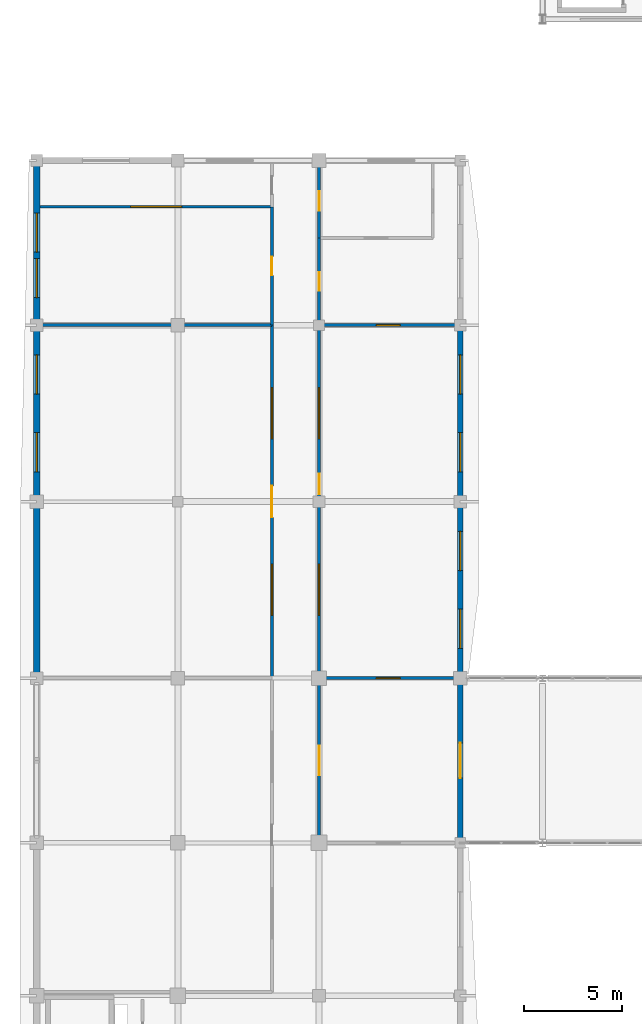
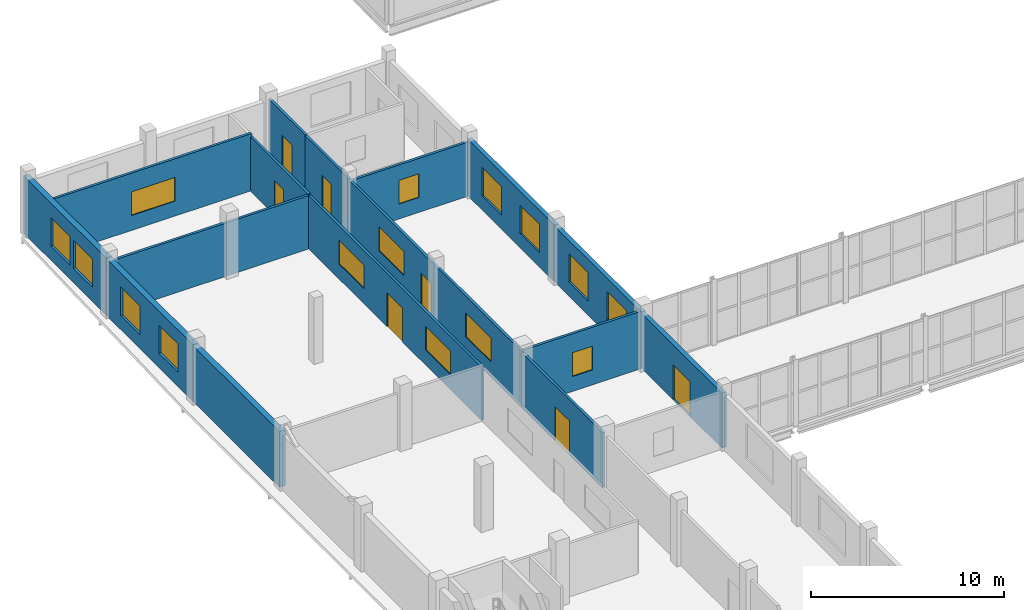
# One storey, part 97 of 121: 16 walls, 15 windows, 7 doors, 22 openings.
"""IFC4 building model written with IfcOpenShell, lengths in metres."""

from ifc_helpers import new_model, si_unit, direction, frame, frame_2d, origin, place, context, subcontext, project, spatial, rectangle, extrude, material, layer, layer_set, type_object, element, fill, save


model = new_model("IFC4")

# Units and contexts
model_context = context("Model", 3, precision=1e-05, world=origin(), true_north=direction((0.0, 1.0)))
body_context = subcontext(model_context, "Body", "Model", "MODEL_VIEW")
ifc_project = project(units=[si_unit("LENGTHUNIT", "METRE"), si_unit("AREAUNIT", "SQUARE_METRE"), si_unit("VOLUMEUNIT", "CUBIC_METRE"), si_unit("PLANEANGLEUNIT", "RADIAN"), si_unit("MASSUNIT", "GRAM", prefix="KILO")], contexts=[model_context])

# Site, building, storey
site_placement = place(None, origin())
site = spatial("IfcSite", under=ifc_project, at=site_placement, CompositionType="ELEMENT")
building_placement = place(site_placement, origin())
building = spatial("IfcBuilding", under=site, at=building_placement, Name="Vinh Khe Railworks Police Headquarters", CompositionType="ELEMENT")
storey_placement = place(building_placement, frame((0.0, 0.0, 4.800048828125)))
storey = spatial("IfcBuildingStorey", under=building, at=storey_placement, Name="L01", CompositionType="ELEMENT", Elevation=4.800048828125)

# Wall, opening, door
ifc_material_1 = material(Name="Clay brickwork", Category="masonry")
ifc_layer_1 = layer(ifc_material_1, 0.260009765625)
ifc_layer_set_1 = layer_set([ifc_layer_1], Name="Clay brickwork")
wall_type_1 = type_object("IfcWallType", Name="EW-BRK-260", PredefinedType="SOLIDWALL", material=ifc_layer_set_1)
wall_1_placement = place(storey_placement, frame((22.199951171875, 96.0, 0.0), z_axis=(0.0, 0.0, 1.0), x_axis=(0.0, 1.0, 0.0)))
wall_1 = element("IfcWall", 1, at=wall_1_placement, inside=storey, type_object=wall_type_1, Name="Exterior Brick Wall EW-L01-V5E-13", PredefinedType="SOLIDWALL", context=body_context, shape_type="SweptSolid", body=[
    extrude(rectangle(XDim=8.39990234375, YDim=0.260009765625, at=frame_2d((4.199951171875, 0.0))), origin(), (0.0, 0.0, 1.0), 3.48486328125),
])
opening_1_placement = place(wall_1_placement, frame((3.300048828125, 0.0, 0.0)))
opening_1 = element("IfcOpeningElement", 2, at=opening_1_placement, cuts=wall_1, Name="Opening ED-03", PredefinedType="OPENING", context=body_context, shape_type="SweptSolid", body=[
    extrude(rectangle(XDim=1.800048828125, YDim=2.199951171875, at=frame_2d((0.89990234375, 1.10009765625))), frame((0.0, 0.14501953125, 0.0), z_axis=(0.0, -1.0, 0.0), x_axis=(1.0, 0.0, 0.0)), (0.0, 0.0, 1.0), 0.289794921875),
])
ifc_material_2 = material(Name="Dark anodised aluminium and solar-control glass", Category="aluminium")
door_type_1 = type_object("IfcDoorType", Name="ED-TER-1800", OperationType="DOUBLE_DOOR_SINGLE_SWING", PredefinedType="DOOR", material=ifc_material_2)
door_1_placement = place(opening_1_placement, frame((1.800048828125, 0.0, 0.0), z_axis=(0.0, 0.0, 1.0), x_axis=(-1.0, 0.0, 0.0)))
door_1 = element("IfcDoor", 3, at=door_1_placement, inside=storey, type_object=door_type_1, Name="Court Link Bridge West Portal Door L01", OperationType="DOUBLE_DOOR_SINGLE_SWING", OverallHeight=2.199951171875, OverallWidth=1.800048828125, PredefinedType="DOOR", context=body_context, shape_type="SweptSolid", body=[
    extrude(rectangle(XDim=1.800048828125, YDim=2.199951171875, at=frame_2d((0.89990234375, 1.10009765625))), frame((0.0, 0.02490234375, 0.0), z_axis=(0.0, -1.0, 0.0), x_axis=(1.0, 0.0, 0.0)), (0.0, 0.0, 1.0), 0.050048828125),
])
fill(opening_1, door_1)

# Wall, openings, windows
wall_2_placement = place(storey_placement, frame((22.199951171875, 104.39990234375, 0.0), z_axis=(0.0, 0.0, 1.0), x_axis=(0.0, 1.0, 0.0)))
wall_2 = element("IfcWall", 4, at=wall_2_placement, inside=storey, type_object=wall_type_1, Name="Exterior Brick Wall EW-L01-V5E-14", PredefinedType="SOLIDWALL", context=body_context, shape_type="SweptSolid", body=[
    extrude(rectangle(XDim=9.0, YDim=0.260009765625, at=frame_2d((4.5, 0.0))), origin(), (0.0, 0.0, 1.0), 3.534912109375),
])
opening_2_placement = place(wall_2_placement, frame((1.52001953125, 0.0, 0.89990234375)))
opening_2 = element("IfcOpeningElement", 5, at=opening_2_placement, cuts=wall_2, Name="Opening WN-04", PredefinedType="OPENING", context=body_context, shape_type="SweptSolid", body=[
    extrude(rectangle(XDim=2.0, YDim=1.800048828125, at=frame_2d((1.0, 0.89990234375))), frame((0.0, 0.14501953125, 0.0), z_axis=(0.0, -1.0, 0.0), x_axis=(1.0, 0.0, 0.0)), (0.0, 0.0, 1.0), 0.289794921875),
])
opening_3_placement = place(wall_2_placement, frame((5.47998046875, 0.0, 0.89990234375)))
opening_3 = element("IfcOpeningElement", 6, at=opening_3_placement, cuts=wall_2, Name="Opening WN-04", PredefinedType="OPENING", context=body_context, shape_type="SweptSolid", body=[
    extrude(rectangle(XDim=2.0, YDim=1.800048828125, at=frame_2d((1.0, 0.89990234375))), frame((0.0, 0.14501953125, 0.0), z_axis=(0.0, -1.0, 0.0), x_axis=(1.0, 0.0, 0.0)), (0.0, 0.0, 1.0), 0.289794921875),
])
ifc_material_3 = material(Name="Double-glazed solar-control glass in dark steel frame", Category="steel")
window_type_1 = type_object("IfcWindowType", Name="WIN-WN-04", PartitioningType="DOUBLE_PANEL_VERTICAL", PredefinedType="WINDOW", material=ifc_material_3)
window_1_placement = place(opening_2_placement, origin())
window_1 = element("IfcWindow", 7, at=window_1_placement, inside=storey, type_object=window_type_1, Name="Casement Window WN-04", OverallHeight=1.800048828125, OverallWidth=2.0, PartitioningType="SINGLE_PANEL", PredefinedType="WINDOW", context=body_context, shape_type="SweptSolid", body=[
    extrude(rectangle(XDim=2.0, YDim=1.800048828125, at=frame_2d((1.0, 0.89990234375))), frame((0.0, 0.030029296875, 0.0), z_axis=(0.0, -1.0, 0.0), x_axis=(1.0, 0.0, 0.0)), (0.0, 0.0, 1.0), 0.06005859375),
])
fill(opening_2, window_1)
window_2_placement = place(opening_3_placement, origin())
window_2 = element("IfcWindow", 8, at=window_2_placement, inside=storey, type_object=window_type_1, Name="Casement Window WN-04", OverallHeight=1.800048828125, OverallWidth=2.0, PartitioningType="SINGLE_PANEL", PredefinedType="WINDOW", context=body_context, shape_type="SweptSolid", body=[
    extrude(rectangle(XDim=2.0, YDim=1.800048828125, at=frame_2d((1.0, 0.89990234375))), frame((0.0, 0.030029296875, 0.0), z_axis=(0.0, -1.0, 0.0), x_axis=(1.0, 0.0, 0.0)), (0.0, 0.0, 1.0), 0.06005859375),
])
fill(opening_3, window_2)

wall_3_placement = place(storey_placement, frame((22.199951171875, 113.39990234375, 0.0), z_axis=(0.0, 0.0, 1.0), x_axis=(0.0, 1.0, 0.0)))
wall_3 = element("IfcWall", 9, at=wall_3_placement, inside=storey, type_object=wall_type_1, Name="Exterior Brick Wall EW-L01-V5E-15", PredefinedType="SOLIDWALL", context=body_context, shape_type="SweptSolid", body=[
    extrude(rectangle(XDim=9.0, YDim=0.260009765625, at=frame_2d((4.5, 0.0))), origin(), (0.0, 0.0, 1.0), 3.5849609375),
])
opening_4_placement = place(wall_3_placement, frame((1.52001953125, 0.0, 0.89990234375)))
opening_4 = element("IfcOpeningElement", 10, at=opening_4_placement, cuts=wall_3, Name="Opening WN-04", PredefinedType="OPENING", context=body_context, shape_type="SweptSolid", body=[
    extrude(rectangle(XDim=2.0, YDim=1.800048828125, at=frame_2d((1.0, 0.89990234375))), frame((0.0, 0.14501953125, 0.0), z_axis=(0.0, -1.0, 0.0), x_axis=(1.0, 0.0, 0.0)), (0.0, 0.0, 1.0), 0.289794921875),
])
opening_5_placement = place(wall_3_placement, frame((5.47998046875, 0.0, 0.89990234375)))
opening_5 = element("IfcOpeningElement", 11, at=opening_5_placement, cuts=wall_3, Name="Opening WN-04", PredefinedType="OPENING", context=body_context, shape_type="SweptSolid", body=[
    extrude(rectangle(XDim=2.0, YDim=1.800048828125, at=frame_2d((1.0, 0.89990234375))), frame((0.0, 0.14501953125, 0.0), z_axis=(0.0, -1.0, 0.0), x_axis=(1.0, 0.0, 0.0)), (0.0, 0.0, 1.0), 0.289794921875),
])
window_3_placement = place(opening_4_placement, origin())
window_3 = element("IfcWindow", 12, at=window_3_placement, inside=storey, type_object=window_type_1, Name="Casement Window WN-04", OverallHeight=1.800048828125, OverallWidth=2.0, PartitioningType="SINGLE_PANEL", PredefinedType="WINDOW", context=body_context, shape_type="SweptSolid", body=[
    extrude(rectangle(XDim=2.0, YDim=1.800048828125, at=frame_2d((1.0, 0.89990234375))), frame((0.0, 0.030029296875, 0.0), z_axis=(0.0, -1.0, 0.0), x_axis=(1.0, 0.0, 0.0)), (0.0, 0.0, 1.0), 0.06005859375),
])
fill(opening_4, window_3)
window_4_placement = place(opening_5_placement, origin())
window_4 = element("IfcWindow", 13, at=window_4_placement, inside=storey, type_object=window_type_1, Name="Casement Window WN-04", OverallHeight=1.800048828125, OverallWidth=2.0, PartitioningType="SINGLE_PANEL", PredefinedType="WINDOW", context=body_context, shape_type="SweptSolid", body=[
    extrude(rectangle(XDim=2.0, YDim=1.800048828125, at=frame_2d((1.0, 0.89990234375))), frame((0.0, 0.030029296875, 0.0), z_axis=(0.0, -1.0, 0.0), x_axis=(1.0, 0.0, 0.0)), (0.0, 0.0, 1.0), 0.06005859375),
])
fill(opening_5, window_4)

# Wall
ifc_layer_2 = layer(ifc_material_1, 0.340087890625)
ifc_layer_set_2 = layer_set([ifc_layer_2], Name="Clay brickwork")
wall_type_2 = type_object("IfcWallType", Name="EW-BRK-340", PredefinedType="SOLIDWALL", material=ifc_layer_set_2)
wall_4_placement = place(storey_placement, frame((0.60009765625, 104.39990234375, 0.0), z_axis=(0.0, 0.0, 1.0), x_axis=(0.0, 1.0, 0.0)))
element("IfcWall", 14, at=wall_4_placement, inside=storey, type_object=wall_type_2, Name="Exterior Brick Wall EW-L01-V5W-14", PredefinedType="SOLIDWALL", context=body_context, shape_type="SweptSolid", body=[
    extrude(rectangle(XDim=9.0, YDim=0.340087890625, at=frame_2d((4.5, 0.0))), origin(), (0.0, 0.0, 1.0), 3.534912109375),
])

# Wall, openings, windows
wall_5_placement = place(storey_placement, frame((0.60009765625, 113.39990234375, 0.0), z_axis=(0.0, 0.0, 1.0), x_axis=(0.0, 1.0, 0.0)))
wall_5 = element("IfcWall", 15, at=wall_5_placement, inside=storey, type_object=wall_type_2, Name="Exterior Brick Wall EW-L01-V5W-15", PredefinedType="SOLIDWALL", context=body_context, shape_type="SweptSolid", body=[
    extrude(rectangle(XDim=9.0, YDim=0.340087890625, at=frame_2d((4.5, 0.0))), origin(), (0.0, 0.0, 1.0), 3.5849609375),
])
opening_6_placement = place(wall_5_placement, frame((1.52001953125, 0.0, 0.89990234375)))
opening_6 = element("IfcOpeningElement", 16, at=opening_6_placement, cuts=wall_5, Name="Opening WN-04", PredefinedType="OPENING", context=body_context, shape_type="SweptSolid", body=[
    extrude(rectangle(XDim=2.0, YDim=1.800048828125, at=frame_2d((1.0, 0.89990234375))), frame((0.0, 0.18505859375, 0.0), z_axis=(0.0, -1.0, 0.0), x_axis=(1.0, 0.0, 0.0)), (0.0, 0.0, 1.0), 0.369873046875),
])
opening_7_placement = place(wall_5_placement, frame((5.47998046875, 0.0, 0.89990234375)))
opening_7 = element("IfcOpeningElement", 17, at=opening_7_placement, cuts=wall_5, Name="Opening WN-04", PredefinedType="OPENING", context=body_context, shape_type="SweptSolid", body=[
    extrude(rectangle(XDim=2.0, YDim=1.800048828125, at=frame_2d((1.0, 0.89990234375))), frame((0.0, 0.18505859375, 0.0), z_axis=(0.0, -1.0, 0.0), x_axis=(1.0, 0.0, 0.0)), (0.0, 0.0, 1.0), 0.369873046875),
])
window_5_placement = place(opening_6_placement, origin())
window_5 = element("IfcWindow", 18, at=window_5_placement, inside=storey, type_object=window_type_1, Name="Casement Window WN-04", OverallHeight=1.800048828125, OverallWidth=2.0, PartitioningType="SINGLE_PANEL", PredefinedType="WINDOW", context=body_context, shape_type="SweptSolid", body=[
    extrude(rectangle(XDim=2.0, YDim=1.800048828125, at=frame_2d((1.0, 0.89990234375))), frame((0.0, 0.030029296875, 0.0), z_axis=(0.0, -1.0, 0.0), x_axis=(1.0, 0.0, 0.0)), (0.0, 0.0, 1.0), 0.06005859375),
])
fill(opening_6, window_5)
window_6_placement = place(opening_7_placement, origin())
window_6 = element("IfcWindow", 19, at=window_6_placement, inside=storey, type_object=window_type_1, Name="Casement Window WN-04", OverallHeight=1.800048828125, OverallWidth=2.0, PartitioningType="SINGLE_PANEL", PredefinedType="WINDOW", context=body_context, shape_type="SweptSolid", body=[
    extrude(rectangle(XDim=2.0, YDim=1.800048828125, at=frame_2d((1.0, 0.89990234375))), frame((0.0, 0.030029296875, 0.0), z_axis=(0.0, -1.0, 0.0), x_axis=(1.0, 0.0, 0.0)), (0.0, 0.0, 1.0), 0.06005859375),
])
fill(opening_7, window_6)

wall_6_placement = place(storey_placement, frame((0.60009765625, 122.39990234375, 0.0), z_axis=(0.0, 0.0, 1.0), x_axis=(0.0, 1.0, 0.0)))
wall_6 = element("IfcWall", 20, at=wall_6_placement, inside=storey, type_object=wall_type_2, Name="Exterior Brick Wall EW-L01-V5W-16", PredefinedType="SOLIDWALL", context=body_context, shape_type="SweptSolid", body=[
    extrude(rectangle(XDim=8.570068359375, YDim=0.340087890625, at=frame_2d((4.28515625, 0.0))), origin(), (0.0, 0.0, 1.0), 3.625),
])
opening_8_placement = place(wall_6_placement, frame((1.399658203125, 0.0, 0.89990234375)))
opening_8 = element("IfcOpeningElement", 21, at=opening_8_placement, cuts=wall_6, Name="Opening WN-04", PredefinedType="OPENING", context=body_context, shape_type="SweptSolid", body=[
    extrude(rectangle(XDim=2.0, YDim=1.800048828125, at=frame_2d((1.0, 0.89990234375))), frame((0.0, 0.18505859375, 0.0), z_axis=(0.0, -1.0, 0.0), x_axis=(1.0, 0.0, 0.0)), (0.0, 0.0, 1.0), 0.369873046875),
])
opening_9_placement = place(wall_6_placement, frame((3.720458984375, 0.0, 0.89990234375)))
opening_9 = element("IfcOpeningElement", 22, at=opening_9_placement, cuts=wall_6, Name="Opening WN-04", PredefinedType="OPENING", context=body_context, shape_type="SweptSolid", body=[
    extrude(rectangle(XDim=2.0, YDim=1.800048828125, at=frame_2d((1.0, 0.89990234375))), frame((0.0, 0.18505859375, 0.0), z_axis=(0.0, -1.0, 0.0), x_axis=(1.0, 0.0, 0.0)), (0.0, 0.0, 1.0), 0.369873046875),
])
window_7_placement = place(opening_8_placement, origin())
window_7 = element("IfcWindow", 23, at=window_7_placement, inside=storey, type_object=window_type_1, Name="Casement Window WN-04", OverallHeight=1.800048828125, OverallWidth=2.0, PartitioningType="SINGLE_PANEL", PredefinedType="WINDOW", context=body_context, shape_type="SweptSolid", body=[
    extrude(rectangle(XDim=2.0, YDim=1.800048828125, at=frame_2d((1.0, 0.89990234375))), frame((0.0, 0.030029296875, 0.0), z_axis=(0.0, -1.0, 0.0), x_axis=(1.0, 0.0, 0.0)), (0.0, 0.0, 1.0), 0.06005859375),
])
fill(opening_8, window_7)
window_8_placement = place(opening_9_placement, origin())
window_8 = element("IfcWindow", 24, at=window_8_placement, inside=storey, type_object=window_type_1, Name="Casement Window WN-04", OverallHeight=1.800048828125, OverallWidth=2.0, PartitioningType="SINGLE_PANEL", PredefinedType="WINDOW", context=body_context, shape_type="SweptSolid", body=[
    extrude(rectangle(XDim=2.0, YDim=1.800048828125, at=frame_2d((1.0, 0.89990234375))), frame((0.0, 0.030029296875, 0.0), z_axis=(0.0, -1.0, 0.0), x_axis=(1.0, 0.0, 0.0)), (0.0, 0.0, 1.0), 0.06005859375),
])
fill(opening_9, window_8)

# Wall, opening, window
ifc_material_4 = material(Name="Gypsum plasterboard on steel stud", Category="steel")
ifc_layer_3 = layer(ifc_material_4, 0.1201171875)
ifc_layer_set_3 = layer_set([ifc_layer_3], Name="Gypsum plasterboard on steel stud")
wall_type_3 = type_object("IfcWallType", Name="IW-PART-120", PredefinedType="PARTITIONING", material=ifc_layer_set_3)
wall_7_placement = place(storey_placement, frame((0.780029296875, 128.43994140625, 0.0), z_axis=(0.0, 0.0, 1.0), x_axis=(1.0, 0.0, 0.0)))
wall_7 = element("IfcWall", 25, at=wall_7_placement, inside=storey, type_object=wall_type_3, Name="Interior Partition W-L01-V5-WCL1S-DIV", PredefinedType="PARTITIONING", context=body_context, shape_type="SweptSolid", body=[
    extrude(rectangle(XDim=11.820068359375, YDim=0.14990234375, at=frame_2d((5.91015625, 0.0))), origin(), (0.0, 0.0, 1.0), 3.625),
])
opening_10_placement = place(wall_7_placement, frame((4.610107421875, 0.0, 0.949951171875)))
opening_10 = element("IfcOpeningElement", 26, at=opening_10_placement, cuts=wall_7, Name="Opening WN-07", PredefinedType="OPENING", context=body_context, shape_type="SweptSolid", body=[
    extrude(rectangle(XDim=2.60009765625, YDim=1.5, at=frame_2d((1.300048828125, 0.75))), frame((0.0, 0.08984375, 0.0), z_axis=(0.0, -1.0, 0.0), x_axis=(1.0, 0.0, 0.0)), (0.0, 0.0, 1.0), 0.1796875),
])
window_type_2 = type_object("IfcWindowType", Name="WIN-WN-07", PartitioningType="DOUBLE_PANEL_HORIZONTAL", PredefinedType="WINDOW", material=ifc_material_3)
window_9_placement = place(opening_10_placement, origin())
window_9 = element("IfcWindow", 27, at=window_9_placement, inside=storey, type_object=window_type_2, Name="Interior Acoustic Vision Window WN-07", OverallHeight=1.5, OverallWidth=2.60009765625, PartitioningType="SINGLE_PANEL", PredefinedType="WINDOW", context=body_context, shape_type="SweptSolid", body=[
    extrude(rectangle(XDim=2.60009765625, YDim=1.5, at=frame_2d((1.300048828125, 0.75))), frame((0.0, 0.030029296875, 0.0), z_axis=(0.0, -1.0, 0.0), x_axis=(1.0, 0.0, 0.0)), (0.0, 0.0, 1.0), 0.06005859375),
])
fill(opening_10, window_9)

# Wall
wall_8_placement = place(storey_placement, frame((0.780029296875, 122.39990234375, 0.0), z_axis=(0.0, 0.0, 1.0), x_axis=(1.0, 0.0, 0.0)))
element("IfcWall", 28, at=wall_8_placement, inside=storey, type_object=wall_type_3, Name="Interior Partition W-L01-V5-WCL1-DIV", PredefinedType="PARTITIONING", context=body_context, shape_type="SweptSolid", body=[
    extrude(rectangle(XDim=11.820068359375, YDim=0.14990234375, at=frame_2d((5.91015625, 0.0))), origin(), (0.0, 0.0, 1.0), 3.375),
])

# Wall, opening, window
wall_9_placement = place(storey_placement, frame((15.0, 104.39990234375, 0.0), z_axis=(0.0, 0.0, 1.0), x_axis=(1.0, 0.0, 0.0)))
wall_9 = element("IfcWall", 29, at=wall_9_placement, inside=storey, type_object=wall_type_3, Name="Interior Partition W-L01-V5-EVID1-DIV", PredefinedType="PARTITIONING", context=body_context, shape_type="SweptSolid", body=[
    extrude(rectangle(XDim=7.06005859375, YDim=0.14990234375, at=frame_2d((3.530029296875, 0.0))), origin(), (0.0, 0.0, 1.0), 3.64501953125),
])
opening_11_placement = place(wall_9_placement, frame((2.929931640625, 0.0, 0.949951171875)))
opening_11 = element("IfcOpeningElement", 30, at=opening_11_placement, cuts=wall_9, Name="Opening WN-10", PredefinedType="OPENING", context=body_context, shape_type="SweptSolid", body=[
    extrude(rectangle(XDim=1.199951171875, YDim=1.5, at=frame_2d((0.60009765625, 0.75))), frame((0.0, 0.08984375, 0.0), z_axis=(0.0, -1.0, 0.0), x_axis=(1.0, 0.0, 0.0)), (0.0, 0.0, 1.0), 0.1796875),
])
window_type_3 = type_object("IfcWindowType", Name="WIN-WN-10", PartitioningType="SINGLE_PANEL", PredefinedType="WINDOW", material=ifc_material_3)
window_10_placement = place(opening_11_placement, origin())
window_10 = element("IfcWindow", 31, at=window_10_placement, inside=storey, type_object=window_type_3, Name="Interior Acoustic Vision Window WN-10", OverallHeight=1.5, OverallWidth=1.199951171875, PartitioningType="SINGLE_PANEL", PredefinedType="WINDOW", context=body_context, shape_type="SweptSolid", body=[
    extrude(rectangle(XDim=1.199951171875, YDim=1.5, at=frame_2d((0.60009765625, 0.75))), frame((0.0, 0.030029296875, 0.0), z_axis=(0.0, -1.0, 0.0), x_axis=(1.0, 0.0, 0.0)), (0.0, 0.0, 1.0), 0.06005859375),
])
fill(opening_11, window_10)

wall_10_placement = place(storey_placement, frame((15.0, 122.39990234375, 0.0), z_axis=(0.0, 0.0, 1.0), x_axis=(1.0, 0.0, 0.0)))
wall_10 = element("IfcWall", 32, at=wall_10_placement, inside=storey, type_object=wall_type_3, Name="Interior Partition W-L01-V5-AWCL1-DIV", PredefinedType="PARTITIONING", context=body_context, shape_type="SweptSolid", body=[
    extrude(rectangle(XDim=7.06005859375, YDim=0.14990234375, at=frame_2d((3.530029296875, 0.0))), origin(), (0.0, 0.0, 1.0), 3.425048828125),
])
opening_12_placement = place(wall_10_placement, frame((2.929931640625, 0.0, 0.949951171875)))
opening_12 = element("IfcOpeningElement", 33, at=opening_12_placement, cuts=wall_10, Name="Opening WN-10", PredefinedType="OPENING", context=body_context, shape_type="SweptSolid", body=[
    extrude(rectangle(XDim=1.199951171875, YDim=1.5, at=frame_2d((0.60009765625, 0.75))), frame((0.0, 0.08984375, 0.0), z_axis=(0.0, -1.0, 0.0), x_axis=(1.0, 0.0, 0.0)), (0.0, 0.0, 1.0), 0.1796875),
])
window_11_placement = place(opening_12_placement, origin())
window_11 = element("IfcWindow", 34, at=window_11_placement, inside=storey, type_object=window_type_3, Name="Interior Acoustic Vision Window WN-10", OverallHeight=1.5, OverallWidth=1.199951171875, PartitioningType="SINGLE_PANEL", PredefinedType="WINDOW", context=body_context, shape_type="SweptSolid", body=[
    extrude(rectangle(XDim=1.199951171875, YDim=1.5, at=frame_2d((0.60009765625, 0.75))), frame((0.0, 0.030029296875, 0.0), z_axis=(0.0, -1.0, 0.0), x_axis=(1.0, 0.0, 0.0)), (0.0, 0.0, 1.0), 0.06005859375),
])
fill(opening_12, window_11)

# Wall, openings, door, windows
ifc_material_5 = material(Name="Gypsum plasterboard on acoustic steel stud", Category="steel")
ifc_layer_4 = layer(ifc_material_5, 0.14990234375)
ifc_layer_set_4 = layer_set([ifc_layer_4], Name="Gypsum plasterboard on acoustic steel stud")
wall_type_4 = type_object("IfcWallType", Name="IW-PART-150", PredefinedType="PARTITIONING", material=ifc_layer_set_4)
wall_11_placement = place(storey_placement, frame((12.60009765625, 104.39990234375, 0.0), z_axis=(0.0, 0.0, 1.0), x_axis=(0.0, 1.0, 0.0)))
wall_11 = element("IfcWall", 35, at=wall_11_placement, inside=storey, type_object=wall_type_4, Name="Interior Partition W-L01-V5-CASE1-CW", PredefinedType="PARTITIONING", context=body_context, shape_type="SweptSolid", body=[
    extrude(rectangle(XDim=18.0, YDim=0.14990234375, at=frame_2d((9.0, 0.0))), origin(), (0.0, 0.0, 1.0), 3.375),
])
opening_13_placement = place(wall_11_placement, frame((8.199951171875, 0.0, 0.0)))
opening_13 = element("IfcOpeningElement", 36, at=opening_13_placement, cuts=wall_11, Name="Opening D-03", PredefinedType="OPENING", context=body_context, shape_type="SweptSolid", body=[
    extrude(rectangle(XDim=1.60009765625, YDim=2.14990234375, at=frame_2d((0.800048828125, 1.074951171875))), frame((0.0, 0.08984375, 0.0), z_axis=(0.0, -1.0, 0.0), x_axis=(1.0, 0.0, 0.0)), (0.0, 0.0, 1.0), 0.1796875),
])
opening_14_placement = place(wall_11_placement, frame((3.199951171875, 0.0, 0.949951171875)))
opening_14 = element("IfcOpeningElement", 37, at=opening_14_placement, cuts=wall_11, Name="Opening WN-07", PredefinedType="OPENING", context=body_context, shape_type="SweptSolid", body=[
    extrude(rectangle(XDim=2.60009765625, YDim=1.5, at=frame_2d((1.300048828125, 0.75))), frame((0.0, 0.08984375, 0.0), z_axis=(0.0, -1.0, 0.0), x_axis=(1.0, 0.0, 0.0)), (0.0, 0.0, 1.0), 0.1796875),
])
opening_15_placement = place(wall_11_placement, frame((12.199951171875, 0.0, 0.949951171875)))
opening_15 = element("IfcOpeningElement", 38, at=opening_15_placement, cuts=wall_11, Name="Opening WN-07", PredefinedType="OPENING", context=body_context, shape_type="SweptSolid", body=[
    extrude(rectangle(XDim=2.60009765625, YDim=1.5, at=frame_2d((1.300048828125, 0.75))), frame((0.0, 0.08984375, 0.0), z_axis=(0.0, -1.0, 0.0), x_axis=(1.0, 0.0, 0.0)), (0.0, 0.0, 1.0), 0.1796875),
])
ifc_material_6 = material(Name="Painted galvanised steel", Category="steel")
door_type_2 = type_object("IfcDoorType", Name="ID-1600x2150", OperationType="DOUBLE_DOOR_SINGLE_SWING", PredefinedType="DOOR", material=ifc_material_6)
door_2_placement = place(opening_13_placement, origin())
door_2 = element("IfcDoor", 39, at=door_2_placement, inside=storey, type_object=door_type_2, Name="Case Review Conference Room Door", OperationType="DOUBLE_DOOR_SINGLE_SWING", OverallHeight=2.14990234375, OverallWidth=1.60009765625, PredefinedType="DOOR", context=body_context, shape_type="SweptSolid", body=[
    extrude(rectangle(XDim=1.60009765625, YDim=2.14990234375, at=frame_2d((0.800048828125, 1.074951171875))), frame((0.0, 0.02490234375, 0.0), z_axis=(0.0, -1.0, 0.0), x_axis=(1.0, 0.0, 0.0)), (0.0, 0.0, 1.0), 0.050048828125),
])
fill(opening_13, door_2)
window_12_placement = place(opening_14_placement, origin())
window_12 = element("IfcWindow", 40, at=window_12_placement, inside=storey, type_object=window_type_2, Name="Interior Acoustic Vision Window WN-07", OverallHeight=1.5, OverallWidth=2.60009765625, PartitioningType="SINGLE_PANEL", PredefinedType="WINDOW", context=body_context, shape_type="SweptSolid", body=[
    extrude(rectangle(XDim=2.60009765625, YDim=1.5, at=frame_2d((1.300048828125, 0.75))), frame((0.0, 0.030029296875, 0.0), z_axis=(0.0, -1.0, 0.0), x_axis=(1.0, 0.0, 0.0)), (0.0, 0.0, 1.0), 0.06005859375),
])
fill(opening_14, window_12)
window_13_placement = place(opening_15_placement, origin())
window_13 = element("IfcWindow", 41, at=window_13_placement, inside=storey, type_object=window_type_2, Name="Interior Acoustic Vision Window WN-07", OverallHeight=1.5, OverallWidth=2.60009765625, PartitioningType="SINGLE_PANEL", PredefinedType="WINDOW", context=body_context, shape_type="SweptSolid", body=[
    extrude(rectangle(XDim=2.60009765625, YDim=1.5, at=frame_2d((1.300048828125, 0.75))), frame((0.0, 0.030029296875, 0.0), z_axis=(0.0, -1.0, 0.0), x_axis=(1.0, 0.0, 0.0)), (0.0, 0.0, 1.0), 0.06005859375),
])
fill(opening_15, window_13)

# Wall, opening, door
wall_12_placement = place(storey_placement, frame((12.60009765625, 122.39990234375, 0.0), z_axis=(0.0, 0.0, 1.0), x_axis=(0.0, 1.0, 0.0)))
wall_12 = element("IfcWall", 42, at=wall_12_placement, inside=storey, type_object=wall_type_4, Name="Interior Partition W-L01-V5-WCL1S-CW", PredefinedType="PARTITIONING", context=body_context, shape_type="SweptSolid", body=[
    extrude(rectangle(XDim=6.0400390625, YDim=0.14990234375, at=frame_2d((3.02001953125, 0.0))), origin(), (0.0, 0.0, 1.0), 3.425048828125),
])
opening_16_placement = place(wall_12_placement, frame((2.544921875, 0.0, 0.0)))
opening_16 = element("IfcOpeningElement", 43, at=opening_16_placement, cuts=wall_12, Name="Opening D-01", PredefinedType="OPENING", context=body_context, shape_type="SweptSolid", body=[
    extrude(rectangle(XDim=0.949951171875, YDim=2.14990234375, at=frame_2d((0.47509765625, 1.074951171875))), frame((0.0, 0.08984375, 0.0), z_axis=(0.0, -1.0, 0.0), x_axis=(1.0, 0.0, 0.0)), (0.0, 0.0, 1.0), 0.1796875),
])
ifc_material_7 = material(Name="Seasoned hardwood timber", Category="wood")
door_type_3 = type_object("IfcDoorType", Name="ID-950x2150", OperationType="NOTDEFINED", PredefinedType="DOOR", material=ifc_material_7)
door_3_placement = place(opening_16_placement, origin())
door_3 = element("IfcDoor", 44, at=door_3_placement, inside=storey, type_object=door_type_3, Name="Floor Supplies Store Door", OperationType="SINGLE_SWING_LEFT", OverallHeight=2.14990234375, OverallWidth=0.949951171875, PredefinedType="DOOR", context=body_context, shape_type="SweptSolid", body=[
    extrude(rectangle(XDim=0.949951171875, YDim=2.14990234375, at=frame_2d((0.47509765625, 1.074951171875))), frame((0.0, 0.02490234375, 0.0), z_axis=(0.0, -1.0, 0.0), x_axis=(1.0, 0.0, 0.0)), (0.0, 0.0, 1.0), 0.050048828125),
])
fill(opening_16, door_3)

wall_13_placement = place(storey_placement, frame((15.0, 96.0, 0.0), z_axis=(0.0, 0.0, 1.0), x_axis=(0.0, 1.0, 0.0)))
wall_13 = element("IfcWall", 45, at=wall_13_placement, inside=storey, type_object=wall_type_4, Name="Interior Partition W-L01-V5-BRG0-CE", PredefinedType="PARTITIONING", context=body_context, shape_type="SweptSolid", body=[
    extrude(rectangle(XDim=8.39990234375, YDim=0.14990234375, at=frame_2d((4.199951171875, 0.0))), origin(), (0.0, 0.0, 1.0), 3.48486328125),
])
opening_17_placement = place(wall_13_placement, frame((3.449951171875, 0.0, 0.0)))
opening_17 = element("IfcOpeningElement", 46, at=opening_17_placement, cuts=wall_13, Name="Opening FD-02", PredefinedType="OPENING", context=body_context, shape_type="SweptSolid", body=[
    extrude(rectangle(XDim=1.5, YDim=2.14990234375, at=frame_2d((0.75, 1.074951171875))), frame((0.0, 0.08984375, 0.0), z_axis=(0.0, -1.0, 0.0), x_axis=(1.0, 0.0, 0.0)), (0.0, 0.0, 1.0), 0.1796875),
])
door_type_4 = type_object("IfcDoorType", Name="FD-1500x2150", OperationType="DOUBLE_DOOR_SINGLE_SWING", PredefinedType="DOOR", material=ifc_material_6)
door_4_placement = place(opening_17_placement, origin())
door_4 = element("IfcDoor", 47, at=door_4_placement, inside=storey, type_object=door_type_4, Name="Bridge Security Control Vestibule Door", OperationType="DOUBLE_DOOR_SINGLE_SWING", OverallHeight=2.14990234375, OverallWidth=1.5, PredefinedType="DOOR", context=body_context, shape_type="SweptSolid", body=[
    extrude(rectangle(XDim=1.5, YDim=2.14990234375, at=frame_2d((0.75, 1.074951171875))), frame((0.0, 0.02490234375, 0.0), z_axis=(0.0, -1.0, 0.0), x_axis=(1.0, 0.0, 0.0)), (0.0, 0.0, 1.0), 0.050048828125),
])
fill(opening_17, door_4)

# Wall, openings, door, windows
wall_14_placement = place(storey_placement, frame((15.0, 104.39990234375, 0.0), z_axis=(0.0, 0.0, 1.0), x_axis=(0.0, 1.0, 0.0)))
wall_14 = element("IfcWall", 48, at=wall_14_placement, inside=storey, type_object=wall_type_4, Name="Interior Partition W-L01-V5-EVID1-CE", PredefinedType="PARTITIONING", context=body_context, shape_type="SweptSolid", body=[
    extrude(rectangle(XDim=18.0, YDim=0.14990234375, at=frame_2d((9.0, 0.0))), origin(), (0.0, 0.0, 1.0), 3.534912109375),
])
opening_18_placement = place(wall_14_placement, frame((9.375, 0.0, 0.0)))
opening_18 = element("IfcOpeningElement", 49, at=opening_18_placement, cuts=wall_14, Name="Opening D-02", PredefinedType="OPENING", context=body_context, shape_type="SweptSolid", body=[
    extrude(rectangle(XDim=1.050048828125, YDim=2.14990234375, at=frame_2d((0.52490234375, 1.074951171875))), frame((0.0, 0.08984375, 0.0), z_axis=(0.0, -1.0, 0.0), x_axis=(1.0, 0.0, 0.0)), (0.0, 0.0, 1.0), 0.1796875),
])
opening_19_placement = place(wall_14_placement, frame((3.199951171875, 0.0, 0.949951171875)))
opening_19 = element("IfcOpeningElement", 50, at=opening_19_placement, cuts=wall_14, Name="Opening WN-07", PredefinedType="OPENING", context=body_context, shape_type="SweptSolid", body=[
    extrude(rectangle(XDim=2.60009765625, YDim=1.5, at=frame_2d((1.300048828125, 0.75))), frame((0.0, 0.08984375, 0.0), z_axis=(0.0, -1.0, 0.0), x_axis=(1.0, 0.0, 0.0)), (0.0, 0.0, 1.0), 0.1796875),
])
opening_20_placement = place(wall_14_placement, frame((12.199951171875, 0.0, 0.949951171875)))
opening_20 = element("IfcOpeningElement", 51, at=opening_20_placement, cuts=wall_14, Name="Opening WN-07", PredefinedType="OPENING", context=body_context, shape_type="SweptSolid", body=[
    extrude(rectangle(XDim=2.60009765625, YDim=1.5, at=frame_2d((1.300048828125, 0.75))), frame((0.0, 0.08984375, 0.0), z_axis=(0.0, -1.0, 0.0), x_axis=(1.0, 0.0, 0.0)), (0.0, 0.0, 1.0), 0.1796875),
])
door_type_5 = type_object("IfcDoorType", Name="ID-1050x2150", OperationType="NOTDEFINED", PredefinedType="DOOR", material=ifc_material_7)
door_5_placement = place(opening_18_placement, origin())
door_5 = element("IfcDoor", 52, at=door_5_placement, inside=storey, type_object=door_type_5, Name="Working Case File Room Door", OperationType="SINGLE_SWING_RIGHT", OverallHeight=2.14990234375, OverallWidth=1.050048828125, PredefinedType="DOOR", context=body_context, shape_type="SweptSolid", body=[
    extrude(rectangle(XDim=1.050048828125, YDim=2.14990234375, at=frame_2d((0.52490234375, 1.074951171875))), frame((0.0, 0.02490234375, 0.0), z_axis=(0.0, -1.0, 0.0), x_axis=(1.0, 0.0, 0.0)), (0.0, 0.0, 1.0), 0.050048828125),
])
fill(opening_18, door_5)
window_14_placement = place(opening_19_placement, origin())
window_14 = element("IfcWindow", 53, at=window_14_placement, inside=storey, type_object=window_type_2, Name="Interior Acoustic Vision Window WN-07", OverallHeight=1.5, OverallWidth=2.60009765625, PartitioningType="SINGLE_PANEL", PredefinedType="WINDOW", context=body_context, shape_type="SweptSolid", body=[
    extrude(rectangle(XDim=2.60009765625, YDim=1.5, at=frame_2d((1.300048828125, 0.75))), frame((0.0, 0.030029296875, 0.0), z_axis=(0.0, -1.0, 0.0), x_axis=(1.0, 0.0, 0.0)), (0.0, 0.0, 1.0), 0.06005859375),
])
fill(opening_19, window_14)
window_15_placement = place(opening_20_placement, origin())
window_15 = element("IfcWindow", 54, at=window_15_placement, inside=storey, type_object=window_type_2, Name="Interior Acoustic Vision Window WN-07", OverallHeight=1.5, OverallWidth=2.60009765625, PartitioningType="SINGLE_PANEL", PredefinedType="WINDOW", context=body_context, shape_type="SweptSolid", body=[
    extrude(rectangle(XDim=2.60009765625, YDim=1.5, at=frame_2d((1.300048828125, 0.75))), frame((0.0, 0.030029296875, 0.0), z_axis=(0.0, -1.0, 0.0), x_axis=(1.0, 0.0, 0.0)), (0.0, 0.0, 1.0), 0.06005859375),
])
fill(opening_20, window_15)

# Wall, opening, door
wall_15_placement = place(storey_placement, frame((15.0, 122.39990234375, 0.0), z_axis=(0.0, 0.0, 1.0), x_axis=(0.0, 1.0, 0.0)))
wall_15 = element("IfcWall", 55, at=wall_15_placement, inside=storey, type_object=wall_type_4, Name="Interior Partition W-L01-V5-AWCL1S-CE", PredefinedType="PARTITIONING", context=body_context, shape_type="SweptSolid", body=[
    extrude(rectangle(XDim=4.447021484375, YDim=0.14990234375, at=frame_2d((2.2236328125, 0.0))), origin(), (0.0, 0.0, 1.0), 3.5849609375),
])
opening_21_placement = place(wall_15_placement, frame((1.748046875, 0.0, 0.0)))
opening_21 = element("IfcOpeningElement", 56, at=opening_21_placement, cuts=wall_15, Name="Opening D-01", PredefinedType="OPENING", context=body_context, shape_type="SweptSolid", body=[
    extrude(rectangle(XDim=0.949951171875, YDim=2.14990234375, at=frame_2d((0.47509765625, 1.074951171875))), frame((0.0, 0.08984375, 0.0), z_axis=(0.0, -1.0, 0.0), x_axis=(1.0, 0.0, 0.0)), (0.0, 0.0, 1.0), 0.1796875),
])
door_6_placement = place(opening_21_placement, origin())
door_6 = element("IfcDoor", 57, at=door_6_placement, inside=storey, type_object=door_type_3, Name="Floor Supplies Store Door", OperationType="SINGLE_SWING_LEFT", OverallHeight=2.14990234375, OverallWidth=0.949951171875, PredefinedType="DOOR", context=body_context, shape_type="SweptSolid", body=[
    extrude(rectangle(XDim=0.949951171875, YDim=2.14990234375, at=frame_2d((0.47509765625, 1.074951171875))), frame((0.0, 0.02490234375, 0.0), z_axis=(0.0, -1.0, 0.0), x_axis=(1.0, 0.0, 0.0)), (0.0, 0.0, 1.0), 0.050048828125),
])
fill(opening_21, door_6)

wall_16_placement = place(storey_placement, frame((15.0, 126.846923828125, 0.0), z_axis=(0.0, 0.0, 1.0), x_axis=(0.0, 1.0, 0.0)))
wall_16 = element("IfcWall", 58, at=wall_16_placement, inside=storey, type_object=wall_type_4, Name="Interior Partition W-L01-V5-AWCL1-CE", PredefinedType="PARTITIONING", context=body_context, shape_type="SweptSolid", body=[
    extrude(rectangle(XDim=3.79296875, YDim=0.14990234375, at=frame_2d((1.896484375, 0.0))), origin(), (0.0, 0.0, 1.0), 3.625),
])
opening_22_placement = place(wall_16_placement, frame((1.39599609375, 0.0, 0.0)))
opening_22 = element("IfcOpeningElement", 59, at=opening_22_placement, cuts=wall_16, Name="Opening D-05", PredefinedType="OPENING", context=body_context, shape_type="SweptSolid", body=[
    extrude(rectangle(XDim=1.0, YDim=2.14990234375, at=frame_2d((0.5, 1.074951171875))), frame((0.0, 0.08984375, 0.0), z_axis=(0.0, -1.0, 0.0), x_axis=(1.0, 0.0, 0.0)), (0.0, 0.0, 1.0), 0.1796875),
])
door_type_6 = type_object("IfcDoorType", Name="ID-1000x2150", OperationType="NOTDEFINED", PredefinedType="DOOR", material=ifc_material_7)
door_7_placement = place(opening_22_placement, origin())
door_7 = element("IfcDoor", 60, at=door_7_placement, inside=storey, type_object=door_type_6, Name="Accessible WC L01 West Door", OperationType="SINGLE_SWING_RIGHT", OverallHeight=2.14990234375, OverallWidth=1.0, PredefinedType="DOOR", context=body_context, shape_type="SweptSolid", body=[
    extrude(rectangle(XDim=1.0, YDim=2.14990234375, at=frame_2d((0.5, 1.074951171875))), frame((0.0, 0.02490234375, 0.0), z_axis=(0.0, -1.0, 0.0), x_axis=(1.0, 0.0, 0.0)), (0.0, 0.0, 1.0), 0.050048828125),
])
fill(opening_22, door_7)

save(model, "model.ifc")
